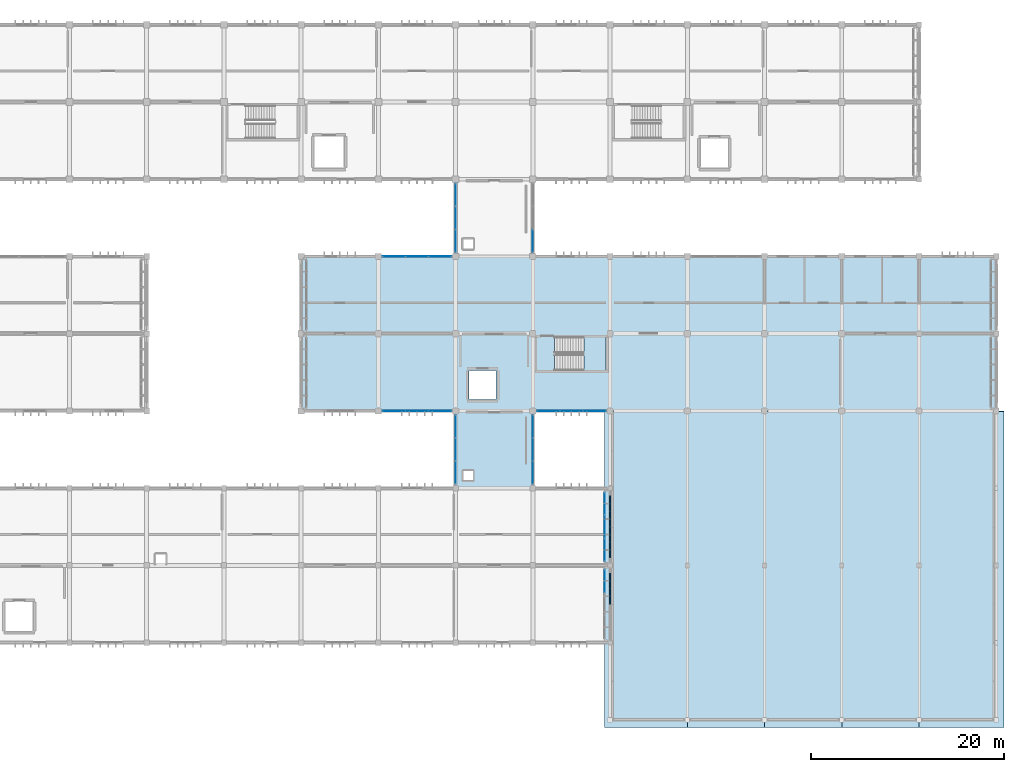
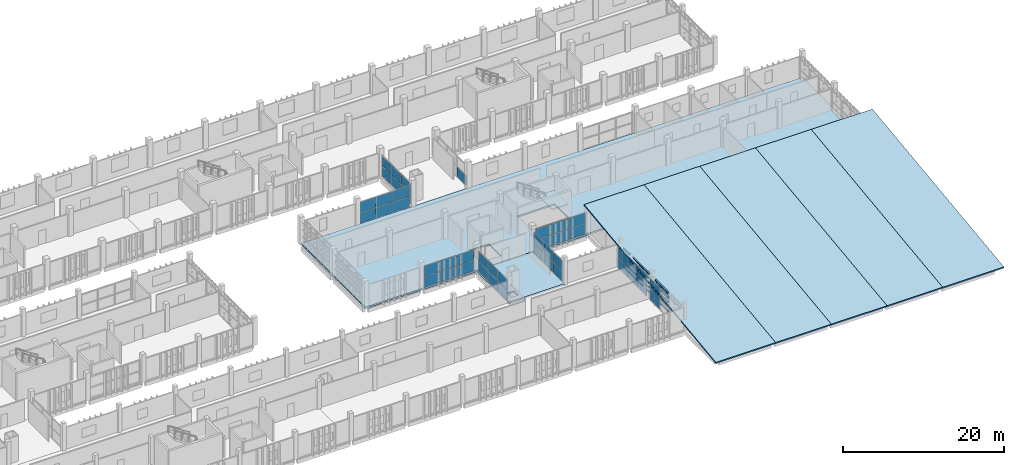
# One storey, part 60 of 83: 75 plates, 8 slabs, 10 elements without a shape of their own.
"""IFC4 building model written with IfcOpenShell, lengths in metres."""

from ifc_helpers import new_model, si_unit, direction, frame, origin, origin_2d, place, context, subcontext, project, spatial, polyline, rectangle, outline, extrude, material, layer, layer_set, type_object, element, aggregate, save


model = new_model("IFC4")

# Units and contexts
model_context = context("Model", 3, precision=1e-05, world=origin(), true_north=direction((0.0, 1.0)))
body_context = subcontext(model_context, "Body", "Model", "MODEL_VIEW")
ifc_project = project(units=[si_unit("LENGTHUNIT", "METRE"), si_unit("AREAUNIT", "SQUARE_METRE"), si_unit("VOLUMEUNIT", "CUBIC_METRE"), si_unit("PLANEANGLEUNIT", "RADIAN"), si_unit("MASSUNIT", "GRAM", prefix="KILO")], contexts=[model_context])

# Site, building, storey
site_placement = place(None, origin())
site = spatial("IfcSite", under=ifc_project, at=site_placement, CompositionType="ELEMENT")
building_placement = place(site_placement, origin())
building = spatial("IfcBuilding", under=site, at=building_placement, Name="Jelvoka-Kovrelna Polytechnic", CompositionType="ELEMENT")
storey_placement = place(building_placement, frame((0.0, 0.0, 13.800048828125)))
storey = spatial("IfcBuildingStorey", under=building, at=storey_placement, Name="L04", CompositionType="ELEMENT", Elevation=13.800048828125)

# Curtain wall, plates
ifc_material_1 = material(Name="Anodised aluminium 6063-T6", Category="aluminium")
ifc_layer_1 = layer(ifc_material_1, 0.159912109375)
ifc_layer_set_1 = layer_set([ifc_layer_1], Name="Anodised aluminium 6063-T6")
curtain_wall_type_1 = type_object("IfcCurtainWallType", Name="CW_Recessed_A", PredefinedType="NOTDEFINED", material=ifc_layer_set_1)
curtain_wall_1_placement = place(storey_placement, origin())
curtain_wall_1 = element("IfcCurtainWall", 1, at=curtain_wall_1_placement, inside=storey, type_object=curtain_wall_type_1, Name="L04 glazed curtain wall 005", PredefinedType="NOTDEFINED")
ifc_material_2 = material(Name="Solar-control double glazing", Category="glass")
ifc_layer_2 = layer(ifc_material_2, 0.028076171875)
ifc_layer_set_2 = layer_set([ifc_layer_2], Name="Solar-control double glazing")
plate_type_1 = type_object("IfcPlateType", Name="Panel_GP-01", PredefinedType="CURTAIN_PANEL", material=ifc_layer_set_2)
plate_1_placement = place(storey_placement, frame((159.43994140625, 14.385009765625, 0.052001953125), z_axis=(0.0, 0.0, 1.0), x_axis=(0.0, -1.0, 0.0)))
plate_1 = element("IfcPlate", 2, at=plate_1_placement, type_object=plate_type_1, Name="CW-01 panel 1.1", PredefinedType="CURTAIN_PANEL", context=body_context, shape_type="SweptSolid", body=[
    extrude(rectangle(XDim=2.326171875, YDim=0.028076171875, at=origin_2d()), origin(), (0.0, 0.0, 1.0), 1.60107421875),
])
plate_2_placement = place(storey_placement, frame((159.43994140625, 14.385009765625, 1.697021484375), z_axis=(0.0, 0.0, 1.0), x_axis=(0.0, -1.0, 0.0)))
plate_2 = element("IfcPlate", 3, at=plate_2_placement, type_object=plate_type_1, Name="CW-01 panel 1.2", PredefinedType="CURTAIN_PANEL", context=body_context, shape_type="SweptSolid", body=[
    extrude(rectangle(XDim=2.326171875, YDim=0.028076171875, at=origin_2d()), origin(), (0.0, 0.0, 1.0), 1.60107421875),
])
aggregate(curtain_wall_1, [plate_1, plate_2])

curtain_wall_2_placement = place(storey_placement, origin())
curtain_wall_2 = element("IfcCurtainWall", 4, at=curtain_wall_2_placement, inside=storey, type_object=curtain_wall_type_1, Name="L04 glazed curtain wall 006", PredefinedType="NOTDEFINED")
plate_3_placement = place(storey_placement, frame((159.43994140625, 22.385009765625, 0.052001953125), z_axis=(0.0, 0.0, 1.0), x_axis=(0.0, -1.0, 0.0)))
plate_3 = element("IfcPlate", 5, at=plate_3_placement, type_object=plate_type_1, Name="CW-01 panel 1.1", PredefinedType="CURTAIN_PANEL", context=body_context, shape_type="SweptSolid", body=[
    extrude(rectangle(XDim=2.326171875, YDim=0.028076171875, at=origin_2d()), origin(), (0.0, 0.0, 1.0), 1.60107421875),
])
plate_4_placement = place(storey_placement, frame((159.43994140625, 22.385009765625, 1.697021484375), z_axis=(0.0, 0.0, 1.0), x_axis=(0.0, -1.0, 0.0)))
plate_4 = element("IfcPlate", 6, at=plate_4_placement, type_object=plate_type_1, Name="CW-01 panel 1.2", PredefinedType="CURTAIN_PANEL", context=body_context, shape_type="SweptSolid", body=[
    extrude(rectangle(XDim=2.326171875, YDim=0.028076171875, at=origin_2d()), origin(), (0.0, 0.0, 1.0), 1.60107421875),
])
plate_5_placement = place(storey_placement, frame((159.43994140625, 20.0, 0.052001953125), z_axis=(0.0, 0.0, 1.0), x_axis=(0.0, -1.0, 0.0)))
plate_5 = element("IfcPlate", 7, at=plate_5_placement, type_object=plate_type_1, Name="CW-01 panel 2.1", PredefinedType="CURTAIN_PANEL", context=body_context, shape_type="SweptSolid", body=[
    extrude(rectangle(XDim=2.356201171875, YDim=0.028076171875, at=origin_2d()), origin(), (0.0, 0.0, 1.0), 1.60107421875),
])
plate_6_placement = place(storey_placement, frame((159.43994140625, 20.0, 1.697021484375), z_axis=(0.0, 0.0, 1.0), x_axis=(0.0, -1.0, 0.0)))
plate_6 = element("IfcPlate", 8, at=plate_6_placement, type_object=plate_type_1, Name="CW-01 panel 2.2", PredefinedType="CURTAIN_PANEL", context=body_context, shape_type="SweptSolid", body=[
    extrude(rectangle(XDim=2.356201171875, YDim=0.028076171875, at=origin_2d()), origin(), (0.0, 0.0, 1.0), 1.60107421875),
])
plate_7_placement = place(storey_placement, frame((159.43994140625, 17.614990234375, 0.052001953125), z_axis=(0.0, 0.0, 1.0), x_axis=(0.0, -1.0, 0.0)))
plate_7 = element("IfcPlate", 9, at=plate_7_placement, type_object=plate_type_1, Name="CW-01 panel 3.1", PredefinedType="CURTAIN_PANEL", context=body_context, shape_type="SweptSolid", body=[
    extrude(rectangle(XDim=2.326171875, YDim=0.028076171875, at=origin_2d()), origin(), (0.0, 0.0, 1.0), 1.60107421875),
])
plate_8_placement = place(storey_placement, frame((159.43994140625, 17.614990234375, 1.697021484375), z_axis=(0.0, 0.0, 1.0), x_axis=(0.0, -1.0, 0.0)))
plate_8 = element("IfcPlate", 10, at=plate_8_placement, type_object=plate_type_1, Name="CW-01 panel 3.2", PredefinedType="CURTAIN_PANEL", context=body_context, shape_type="SweptSolid", body=[
    extrude(rectangle(XDim=2.326171875, YDim=0.028076171875, at=origin_2d()), origin(), (0.0, 0.0, 1.0), 1.60107421875),
])
aggregate(curtain_wall_2, [plate_3, plate_4, plate_5, plate_6, plate_7, plate_8])

curtain_wall_3_placement = place(storey_placement, origin())
curtain_wall_3 = element("IfcCurtainWall", 11, at=curtain_wall_3_placement, inside=storey, type_object=curtain_wall_type_1, Name="L04 glazed curtain wall 062", PredefinedType="NOTDEFINED")
plate_9_placement = place(storey_placement, frame((142.385009765625, 32.0, 0.052001953125), z_axis=(0.0, 0.0, 1.0), x_axis=(-1.0, 0.0, 0.0)))
plate_9 = element("IfcPlate", 12, at=plate_9_placement, type_object=plate_type_1, Name="CW-01 panel 1.1", PredefinedType="CURTAIN_PANEL", context=body_context, shape_type="SweptSolid", body=[
    extrude(rectangle(XDim=2.326171875, YDim=0.028076171875, at=origin_2d()), origin(), (0.0, 0.0, 1.0), 1.588623046875),
])
plate_10_placement = place(storey_placement, frame((142.385009765625, 32.0, 1.684326171875), z_axis=(0.0, 0.0, 1.0), x_axis=(-1.0, 0.0, 0.0)))
plate_10 = element("IfcPlate", 13, at=plate_10_placement, type_object=plate_type_1, Name="CW-01 panel 1.2", PredefinedType="CURTAIN_PANEL", context=body_context, shape_type="SweptSolid", body=[
    extrude(rectangle(XDim=2.326171875, YDim=0.028076171875, at=origin_2d()), origin(), (0.0, 0.0, 1.0), 1.588623046875),
])
plate_11_placement = place(storey_placement, frame((140.0, 32.0, 0.052001953125), z_axis=(0.0, 0.0, 1.0), x_axis=(-1.0, 0.0, 0.0)))
plate_11 = element("IfcPlate", 14, at=plate_11_placement, type_object=plate_type_1, Name="CW-01 panel 2.1", PredefinedType="CURTAIN_PANEL", context=body_context, shape_type="SweptSolid", body=[
    extrude(rectangle(XDim=2.356201171875, YDim=0.028076171875, at=origin_2d()), origin(), (0.0, 0.0, 1.0), 1.588623046875),
])
plate_12_placement = place(storey_placement, frame((140.0, 32.0, 1.684326171875), z_axis=(0.0, 0.0, 1.0), x_axis=(-1.0, 0.0, 0.0)))
plate_12 = element("IfcPlate", 15, at=plate_12_placement, type_object=plate_type_1, Name="CW-01 panel 2.2", PredefinedType="CURTAIN_PANEL", context=body_context, shape_type="SweptSolid", body=[
    extrude(rectangle(XDim=2.356201171875, YDim=0.028076171875, at=origin_2d()), origin(), (0.0, 0.0, 1.0), 1.588623046875),
])
plate_13_placement = place(storey_placement, frame((137.614990234375, 32.0, 0.052001953125), z_axis=(0.0, 0.0, 1.0), x_axis=(-1.0, 0.0, 0.0)))
plate_13 = element("IfcPlate", 16, at=plate_13_placement, type_object=plate_type_1, Name="CW-01 panel 3.1", PredefinedType="CURTAIN_PANEL", context=body_context, shape_type="SweptSolid", body=[
    extrude(rectangle(XDim=2.326171875, YDim=0.028076171875, at=origin_2d()), origin(), (0.0, 0.0, 1.0), 1.588623046875),
])
plate_14_placement = place(storey_placement, frame((137.614990234375, 32.0, 1.684326171875), z_axis=(0.0, 0.0, 1.0), x_axis=(-1.0, 0.0, 0.0)))
plate_14 = element("IfcPlate", 17, at=plate_14_placement, type_object=plate_type_1, Name="CW-01 panel 3.2", PredefinedType="CURTAIN_PANEL", context=body_context, shape_type="SweptSolid", body=[
    extrude(rectangle(XDim=2.326171875, YDim=0.028076171875, at=origin_2d()), origin(), (0.0, 0.0, 1.0), 1.588623046875),
])
aggregate(curtain_wall_3, [plate_9, plate_10, plate_11, plate_12, plate_13, plate_14])

curtain_wall_4_placement = place(storey_placement, origin())
curtain_wall_4 = element("IfcCurtainWall", 18, at=curtain_wall_4_placement, inside=storey, type_object=curtain_wall_type_1, Name="L04 glazed curtain wall 063", PredefinedType="NOTDEFINED")
plate_15_placement = place(storey_placement, frame((137.614990234375, 48.0, 0.052001953125), z_axis=(0.0, 0.0, 1.0), x_axis=(1.0, 0.0, 0.0)))
plate_15 = element("IfcPlate", 19, at=plate_15_placement, type_object=plate_type_1, Name="CW-01 panel 1.1", PredefinedType="CURTAIN_PANEL", context=body_context, shape_type="SweptSolid", body=[
    extrude(rectangle(XDim=2.326171875, YDim=0.028076171875, at=origin_2d()), origin(), (0.0, 0.0, 1.0), 1.588623046875),
])
plate_16_placement = place(storey_placement, frame((137.614990234375, 48.0, 1.684326171875), z_axis=(0.0, 0.0, 1.0), x_axis=(1.0, 0.0, 0.0)))
plate_16 = element("IfcPlate", 20, at=plate_16_placement, type_object=plate_type_1, Name="CW-01 panel 1.2", PredefinedType="CURTAIN_PANEL", context=body_context, shape_type="SweptSolid", body=[
    extrude(rectangle(XDim=2.326171875, YDim=0.028076171875, at=origin_2d()), origin(), (0.0, 0.0, 1.0), 1.588623046875),
])
plate_17_placement = place(storey_placement, frame((140.0, 48.0, 0.052001953125), z_axis=(0.0, 0.0, 1.0), x_axis=(1.0, 0.0, 0.0)))
plate_17 = element("IfcPlate", 21, at=plate_17_placement, type_object=plate_type_1, Name="CW-01 panel 2.1", PredefinedType="CURTAIN_PANEL", context=body_context, shape_type="SweptSolid", body=[
    extrude(rectangle(XDim=2.356201171875, YDim=0.028076171875, at=origin_2d()), origin(), (0.0, 0.0, 1.0), 1.588623046875),
])
plate_18_placement = place(storey_placement, frame((140.0, 48.0, 1.684326171875), z_axis=(0.0, 0.0, 1.0), x_axis=(1.0, 0.0, 0.0)))
plate_18 = element("IfcPlate", 22, at=plate_18_placement, type_object=plate_type_1, Name="CW-01 panel 2.2", PredefinedType="CURTAIN_PANEL", context=body_context, shape_type="SweptSolid", body=[
    extrude(rectangle(XDim=2.356201171875, YDim=0.028076171875, at=origin_2d()), origin(), (0.0, 0.0, 1.0), 1.588623046875),
])
plate_19_placement = place(storey_placement, frame((142.385009765625, 48.0, 0.052001953125), z_axis=(0.0, 0.0, 1.0), x_axis=(1.0, 0.0, 0.0)))
plate_19 = element("IfcPlate", 23, at=plate_19_placement, type_object=plate_type_1, Name="CW-01 panel 3.1", PredefinedType="CURTAIN_PANEL", context=body_context, shape_type="SweptSolid", body=[
    extrude(rectangle(XDim=2.326171875, YDim=0.028076171875, at=origin_2d()), origin(), (0.0, 0.0, 1.0), 1.588623046875),
])
plate_20_placement = place(storey_placement, frame((142.385009765625, 48.0, 1.684326171875), z_axis=(0.0, 0.0, 1.0), x_axis=(1.0, 0.0, 0.0)))
plate_20 = element("IfcPlate", 24, at=plate_20_placement, type_object=plate_type_1, Name="CW-01 panel 3.2", PredefinedType="CURTAIN_PANEL", context=body_context, shape_type="SweptSolid", body=[
    extrude(rectangle(XDim=2.326171875, YDim=0.028076171875, at=origin_2d()), origin(), (0.0, 0.0, 1.0), 1.588623046875),
])
aggregate(curtain_wall_4, [plate_15, plate_16, plate_17, plate_18, plate_19, plate_20])

curtain_wall_5_placement = place(storey_placement, origin())
curtain_wall_5 = element("IfcCurtainWall", 25, at=curtain_wall_5_placement, inside=storey, type_object=curtain_wall_type_1, Name="L04 glazed curtain wall 064", PredefinedType="NOTDEFINED")
plate_21_placement = place(storey_placement, frame((158.385009765625, 32.0, 0.052001953125), z_axis=(0.0, 0.0, 1.0), x_axis=(-1.0, 0.0, 0.0)))
plate_21 = element("IfcPlate", 26, at=plate_21_placement, type_object=plate_type_1, Name="CW-01 panel 1.1", PredefinedType="CURTAIN_PANEL", context=body_context, shape_type="SweptSolid", body=[
    extrude(rectangle(XDim=2.326171875, YDim=0.028076171875, at=origin_2d()), origin(), (0.0, 0.0, 1.0), 1.588623046875),
])
plate_22_placement = place(storey_placement, frame((158.385009765625, 32.0, 1.684326171875), z_axis=(0.0, 0.0, 1.0), x_axis=(-1.0, 0.0, 0.0)))
plate_22 = element("IfcPlate", 27, at=plate_22_placement, type_object=plate_type_1, Name="CW-01 panel 1.2", PredefinedType="CURTAIN_PANEL", context=body_context, shape_type="SweptSolid", body=[
    extrude(rectangle(XDim=2.326171875, YDim=0.028076171875, at=origin_2d()), origin(), (0.0, 0.0, 1.0), 1.588623046875),
])
plate_23_placement = place(storey_placement, frame((156.0, 32.0, 0.052001953125), z_axis=(0.0, 0.0, 1.0), x_axis=(-1.0, 0.0, 0.0)))
plate_23 = element("IfcPlate", 28, at=plate_23_placement, type_object=plate_type_1, Name="CW-01 panel 2.1", PredefinedType="CURTAIN_PANEL", context=body_context, shape_type="SweptSolid", body=[
    extrude(rectangle(XDim=2.356201171875, YDim=0.028076171875, at=origin_2d()), origin(), (0.0, 0.0, 1.0), 1.588623046875),
])
plate_24_placement = place(storey_placement, frame((156.0, 32.0, 1.684326171875), z_axis=(0.0, 0.0, 1.0), x_axis=(-1.0, 0.0, 0.0)))
plate_24 = element("IfcPlate", 29, at=plate_24_placement, type_object=plate_type_1, Name="CW-01 panel 2.2", PredefinedType="CURTAIN_PANEL", context=body_context, shape_type="SweptSolid", body=[
    extrude(rectangle(XDim=2.356201171875, YDim=0.028076171875, at=origin_2d()), origin(), (0.0, 0.0, 1.0), 1.588623046875),
])
plate_25_placement = place(storey_placement, frame((153.614990234375, 32.0, 0.052001953125), z_axis=(0.0, 0.0, 1.0), x_axis=(-1.0, 0.0, 0.0)))
plate_25 = element("IfcPlate", 30, at=plate_25_placement, type_object=plate_type_1, Name="CW-01 panel 3.1", PredefinedType="CURTAIN_PANEL", context=body_context, shape_type="SweptSolid", body=[
    extrude(rectangle(XDim=2.326171875, YDim=0.028076171875, at=origin_2d()), origin(), (0.0, 0.0, 1.0), 1.588623046875),
])
plate_26_placement = place(storey_placement, frame((153.614990234375, 32.0, 1.684326171875), z_axis=(0.0, 0.0, 1.0), x_axis=(-1.0, 0.0, 0.0)))
plate_26 = element("IfcPlate", 31, at=plate_26_placement, type_object=plate_type_1, Name="CW-01 panel 3.2", PredefinedType="CURTAIN_PANEL", context=body_context, shape_type="SweptSolid", body=[
    extrude(rectangle(XDim=2.326171875, YDim=0.028076171875, at=origin_2d()), origin(), (0.0, 0.0, 1.0), 1.588623046875),
])
aggregate(curtain_wall_5, [plate_21, plate_22, plate_23, plate_24, plate_25, plate_26])

ifc_material_3 = material(Name="Anodised aluminium 6063-T6", Category="aluminium")
ifc_layer_3 = layer(ifc_material_3, 0.159912109375)
ifc_layer_set_3 = layer_set([ifc_layer_3], Name="Anodised aluminium 6063-T6")
curtain_wall_type_2 = type_object("IfcCurtainWallType", Name="CW_LinkBridge", PredefinedType="NOTDEFINED", material=ifc_layer_set_3)
curtain_wall_6_placement = place(storey_placement, origin())
curtain_wall_6 = element("IfcCurtainWall", 32, at=curtain_wall_6_placement, inside=storey, type_object=curtain_wall_type_2, Name="L04 glazed curtain wall 132", PredefinedType="NOTDEFINED")
ifc_material_4 = material(Name="Solar-control double glazing", Category="glass")
ifc_layer_4 = layer(ifc_material_4, 0.02392578125)
ifc_layer_set_4 = layer_set([ifc_layer_4], Name="Solar-control double glazing")
plate_type_2 = type_object("IfcPlateType", Name="Panel_GP-04", PredefinedType="CURTAIN_PANEL", material=ifc_layer_set_4)
plate_27_placement = place(storey_placement, frame((144.0, 49.614990234375, 0.052001953125), z_axis=(0.0, 0.0, 1.0), x_axis=(0.0, 1.0, 0.0)))
plate_27 = element("IfcPlate", 33, at=plate_27_placement, type_object=plate_type_2, Name="CW-04 panel 1.1", PredefinedType="CURTAIN_PANEL", context=body_context, shape_type="SweptSolid", body=[
    extrude(rectangle(XDim=2.326171875, YDim=0.02392578125, at=origin_2d()), origin(), (0.0, 0.0, 1.0), 1.53857421875),
])
plate_28_placement = place(storey_placement, frame((144.0, 49.614990234375, 1.634521484375), z_axis=(0.0, 0.0, 1.0), x_axis=(0.0, 1.0, 0.0)))
plate_28 = element("IfcPlate", 34, at=plate_28_placement, type_object=plate_type_2, Name="CW-04 panel 1.2", PredefinedType="CURTAIN_PANEL", context=body_context, shape_type="SweptSolid", body=[
    extrude(rectangle(XDim=2.326171875, YDim=0.02392578125, at=origin_2d()), origin(), (0.0, 0.0, 1.0), 1.53857421875),
])
plate_29_placement = place(storey_placement, frame((144.0, 52.0, 0.052001953125), z_axis=(0.0, 0.0, 1.0), x_axis=(0.0, 1.0, 0.0)))
plate_29 = element("IfcPlate", 35, at=plate_29_placement, type_object=plate_type_2, Name="CW-04 panel 2.1", PredefinedType="CURTAIN_PANEL", context=body_context, shape_type="SweptSolid", body=[
    extrude(rectangle(XDim=2.356201171875, YDim=0.02392578125, at=origin_2d()), origin(), (0.0, 0.0, 1.0), 1.53857421875),
])
plate_30_placement = place(storey_placement, frame((144.0, 52.0, 1.634521484375), z_axis=(0.0, 0.0, 1.0), x_axis=(0.0, 1.0, 0.0)))
plate_30 = element("IfcPlate", 36, at=plate_30_placement, type_object=plate_type_2, Name="CW-04 panel 2.2", PredefinedType="CURTAIN_PANEL", context=body_context, shape_type="SweptSolid", body=[
    extrude(rectangle(XDim=2.356201171875, YDim=0.02392578125, at=origin_2d()), origin(), (0.0, 0.0, 1.0), 1.53857421875),
])
plate_31_placement = place(storey_placement, frame((144.0, 54.385009765625, 0.052001953125), z_axis=(0.0, 0.0, 1.0), x_axis=(0.0, 1.0, 0.0)))
plate_31 = element("IfcPlate", 37, at=plate_31_placement, type_object=plate_type_2, Name="CW-04 panel 3.1", PredefinedType="CURTAIN_PANEL", context=body_context, shape_type="SweptSolid", body=[
    extrude(rectangle(XDim=2.326171875, YDim=0.02392578125, at=origin_2d()), origin(), (0.0, 0.0, 1.0), 1.53857421875),
])
plate_32_placement = place(storey_placement, frame((144.0, 54.385009765625, 1.634521484375), z_axis=(0.0, 0.0, 1.0), x_axis=(0.0, 1.0, 0.0)))
plate_32 = element("IfcPlate", 38, at=plate_32_placement, type_object=plate_type_2, Name="CW-04 panel 3.2", PredefinedType="CURTAIN_PANEL", context=body_context, shape_type="SweptSolid", body=[
    extrude(rectangle(XDim=2.326171875, YDim=0.02392578125, at=origin_2d()), origin(), (0.0, 0.0, 1.0), 1.53857421875),
])
aggregate(curtain_wall_6, [plate_27, plate_28, plate_29, plate_30, plate_31, plate_32])

# Curtain wall, plate
curtain_wall_7_placement = place(storey_placement, origin())
curtain_wall_7 = element("IfcCurtainWall", 39, at=curtain_wall_7_placement, inside=storey, type_object=curtain_wall_type_2, Name="L04 glazed curtain wall 133", PredefinedType="NOTDEFINED")
plate_33_placement = place(storey_placement, frame((152.0, 49.614990234375, 0.052001953125), z_axis=(0.0, 0.0, 1.0), x_axis=(0.0, -1.0, 0.0)))
plate_33 = element("IfcPlate", 40, at=plate_33_placement, type_object=plate_type_2, Name="CW-04 panel 3.1", PredefinedType="CURTAIN_PANEL", context=body_context, shape_type="SweptSolid", body=[
    extrude(rectangle(XDim=2.326171875, YDim=0.02392578125, at=origin_2d()), origin(), (0.0, 0.0, 1.0), 1.53857421875),
])
aggregate(curtain_wall_7, [plate_33])

# Curtain wall, plates
curtain_wall_8_placement = place(storey_placement, origin())
curtain_wall_8 = element("IfcCurtainWall", 41, at=curtain_wall_8_placement, inside=storey, type_object=curtain_wall_type_2, Name="L04 glazed curtain wall 138", PredefinedType="NOTDEFINED")
plate_34_placement = place(storey_placement, frame((144.0, 25.614990234375, 0.052001953125), z_axis=(0.0, 0.0, 1.0), x_axis=(0.0, 1.0, 0.0)))
plate_34 = element("IfcPlate", 42, at=plate_34_placement, type_object=plate_type_2, Name="CW-04 panel 1.1", PredefinedType="CURTAIN_PANEL", context=body_context, shape_type="SweptSolid", body=[
    extrude(rectangle(XDim=2.326171875, YDim=0.02392578125, at=origin_2d()), origin(), (0.0, 0.0, 1.0), 1.53857421875),
])
plate_35_placement = place(storey_placement, frame((144.0, 25.614990234375, 1.634521484375), z_axis=(0.0, 0.0, 1.0), x_axis=(0.0, 1.0, 0.0)))
plate_35 = element("IfcPlate", 43, at=plate_35_placement, type_object=plate_type_2, Name="CW-04 panel 1.2", PredefinedType="CURTAIN_PANEL", context=body_context, shape_type="SweptSolid", body=[
    extrude(rectangle(XDim=2.326171875, YDim=0.02392578125, at=origin_2d()), origin(), (0.0, 0.0, 1.0), 1.53857421875),
])
plate_36_placement = place(storey_placement, frame((144.0, 28.0, 0.052001953125), z_axis=(0.0, 0.0, 1.0), x_axis=(0.0, 1.0, 0.0)))
plate_36 = element("IfcPlate", 44, at=plate_36_placement, type_object=plate_type_2, Name="CW-04 panel 2.1", PredefinedType="CURTAIN_PANEL", context=body_context, shape_type="SweptSolid", body=[
    extrude(rectangle(XDim=2.356201171875, YDim=0.02392578125, at=origin_2d()), origin(), (0.0, 0.0, 1.0), 1.53857421875),
])
plate_37_placement = place(storey_placement, frame((144.0, 28.0, 1.634521484375), z_axis=(0.0, 0.0, 1.0), x_axis=(0.0, 1.0, 0.0)))
plate_37 = element("IfcPlate", 45, at=plate_37_placement, type_object=plate_type_2, Name="CW-04 panel 2.2", PredefinedType="CURTAIN_PANEL", context=body_context, shape_type="SweptSolid", body=[
    extrude(rectangle(XDim=2.356201171875, YDim=0.02392578125, at=origin_2d()), origin(), (0.0, 0.0, 1.0), 1.53857421875),
])
plate_38_placement = place(storey_placement, frame((144.0, 30.385009765625, 0.052001953125), z_axis=(0.0, 0.0, 1.0), x_axis=(0.0, 1.0, 0.0)))
plate_38 = element("IfcPlate", 46, at=plate_38_placement, type_object=plate_type_2, Name="CW-04 panel 3.1", PredefinedType="CURTAIN_PANEL", context=body_context, shape_type="SweptSolid", body=[
    extrude(rectangle(XDim=2.326171875, YDim=0.02392578125, at=origin_2d()), origin(), (0.0, 0.0, 1.0), 1.53857421875),
])
plate_39_placement = place(storey_placement, frame((144.0, 30.385009765625, 1.634521484375), z_axis=(0.0, 0.0, 1.0), x_axis=(0.0, 1.0, 0.0)))
plate_39 = element("IfcPlate", 47, at=plate_39_placement, type_object=plate_type_2, Name="CW-04 panel 3.2", PredefinedType="CURTAIN_PANEL", context=body_context, shape_type="SweptSolid", body=[
    extrude(rectangle(XDim=2.326171875, YDim=0.02392578125, at=origin_2d()), origin(), (0.0, 0.0, 1.0), 1.53857421875),
])
aggregate(curtain_wall_8, [plate_34, plate_35, plate_36, plate_37, plate_38, plate_39])

curtain_wall_9_placement = place(storey_placement, origin())
curtain_wall_9 = element("IfcCurtainWall", 48, at=curtain_wall_9_placement, inside=storey, type_object=curtain_wall_type_2, Name="L04 glazed curtain wall 139", PredefinedType="NOTDEFINED")
plate_40_placement = place(storey_placement, frame((152.0, 30.385009765625, 0.052001953125), z_axis=(0.0, 0.0, 1.0), x_axis=(0.0, -1.0, 0.0)))
plate_40 = element("IfcPlate", 49, at=plate_40_placement, type_object=plate_type_2, Name="CW-04 panel 1.1", PredefinedType="CURTAIN_PANEL", context=body_context, shape_type="SweptSolid", body=[
    extrude(rectangle(XDim=2.326171875, YDim=0.02392578125, at=origin_2d()), origin(), (0.0, 0.0, 1.0), 1.53857421875),
])
plate_41_placement = place(storey_placement, frame((152.0, 30.385009765625, 1.634521484375), z_axis=(0.0, 0.0, 1.0), x_axis=(0.0, -1.0, 0.0)))
plate_41 = element("IfcPlate", 50, at=plate_41_placement, type_object=plate_type_2, Name="CW-04 panel 1.2", PredefinedType="CURTAIN_PANEL", context=body_context, shape_type="SweptSolid", body=[
    extrude(rectangle(XDim=2.326171875, YDim=0.02392578125, at=origin_2d()), origin(), (0.0, 0.0, 1.0), 1.53857421875),
])
plate_42_placement = place(storey_placement, frame((152.0, 28.0, 0.052001953125), z_axis=(0.0, 0.0, 1.0), x_axis=(0.0, -1.0, 0.0)))
plate_42 = element("IfcPlate", 51, at=plate_42_placement, type_object=plate_type_2, Name="CW-04 panel 2.1", PredefinedType="CURTAIN_PANEL", context=body_context, shape_type="SweptSolid", body=[
    extrude(rectangle(XDim=2.356201171875, YDim=0.02392578125, at=origin_2d()), origin(), (0.0, 0.0, 1.0), 1.53857421875),
])
plate_43_placement = place(storey_placement, frame((152.0, 28.0, 1.634521484375), z_axis=(0.0, 0.0, 1.0), x_axis=(0.0, -1.0, 0.0)))
plate_43 = element("IfcPlate", 52, at=plate_43_placement, type_object=plate_type_2, Name="CW-04 panel 2.2", PredefinedType="CURTAIN_PANEL", context=body_context, shape_type="SweptSolid", body=[
    extrude(rectangle(XDim=2.356201171875, YDim=0.02392578125, at=origin_2d()), origin(), (0.0, 0.0, 1.0), 1.53857421875),
])
plate_44_placement = place(storey_placement, frame((152.0, 25.614990234375, 0.052001953125), z_axis=(0.0, 0.0, 1.0), x_axis=(0.0, -1.0, 0.0)))
plate_44 = element("IfcPlate", 53, at=plate_44_placement, type_object=plate_type_2, Name="CW-04 panel 3.1", PredefinedType="CURTAIN_PANEL", context=body_context, shape_type="SweptSolid", body=[
    extrude(rectangle(XDim=2.326171875, YDim=0.02392578125, at=origin_2d()), origin(), (0.0, 0.0, 1.0), 1.53857421875),
])
plate_45_placement = place(storey_placement, frame((152.0, 25.614990234375, 1.634521484375), z_axis=(0.0, 0.0, 1.0), x_axis=(0.0, -1.0, 0.0)))
plate_45 = element("IfcPlate", 54, at=plate_45_placement, type_object=plate_type_2, Name="CW-04 panel 3.2", PredefinedType="CURTAIN_PANEL", context=body_context, shape_type="SweptSolid", body=[
    extrude(rectangle(XDim=2.326171875, YDim=0.02392578125, at=origin_2d()), origin(), (0.0, 0.0, 1.0), 1.53857421875),
])
aggregate(curtain_wall_9, [plate_40, plate_41, plate_42, plate_43, plate_44, plate_45])

# Plates
ifc_material_5 = material(Name="Perforated fired terracotta block", Category="masonry")
ifc_layer_5 = layer(ifc_material_5, 0.179931640625)
ifc_layer_set_5 = layer_set([ifc_layer_5], Name="Perforated fired terracotta block")
plate_type_3 = type_object("IfcPlateType", Name="Screen_Terracotta_TP02", PredefinedType="USERDEFINED", material=ifc_layer_set_5)
for number, where, z_axis, x_axis, name in (
    (55, (159.97998046875, 12.800048828125, 0.2001953125), (0.0, 0.0, 1.0), (0.0, 1.0, 0.0), "L04 perforated terracotta lattice band 0091"),
    (56, (159.97998046875, 12.800048828125, 0.892578125), (0.0, 0.0, 1.0), (0.0, 1.0, 0.0), "L04 perforated terracotta lattice band 0092"),
    (57, (159.97998046875, 12.800048828125, 1.5849609375), (0.0, 0.0, 1.0), (0.0, 1.0, 0.0), "L04 perforated terracotta lattice band 0093"),
    (58, (159.97998046875, 12.800048828125, 2.27734375), (0.0, 0.0, 1.0), (0.0, 1.0, 0.0), "L04 perforated terracotta lattice band 0094"),
    (59, (159.97998046875, 12.800048828125, 2.9697265625), (0.0, 0.0, 1.0), (0.0, 1.0, 0.0), "L04 perforated terracotta lattice band 0095"),
    (60, (159.97998046875, 14.39990234375, 0.2001953125), (0.0, 0.0, 1.0), (0.0, 1.0, 0.0), "L04 perforated terracotta lattice band 0096"),
    (61, (159.97998046875, 14.39990234375, 0.892578125), (0.0, 0.0, 1.0), (0.0, 1.0, 0.0), "L04 perforated terracotta lattice band 0097"),
    (62, (159.97998046875, 14.39990234375, 1.5849609375), (0.0, 0.0, 1.0), (0.0, 1.0, 0.0), "L04 perforated terracotta lattice band 0098"),
    (63, (159.97998046875, 14.39990234375, 2.27734375), (0.0, 0.0, 1.0), (0.0, 1.0, 0.0), "L04 perforated terracotta lattice band 0099"),
    (64, (159.97998046875, 14.39990234375, 2.9697265625), (0.0, 0.0, 1.0), (0.0, 1.0, 0.0), "L04 perforated terracotta lattice band 0100"),
    (65, (159.97998046875, 17.60009765625, 0.2001953125), (0.0, 0.0, 1.0), (0.0, 1.0, 0.0), "L04 perforated terracotta lattice band 0101"),
    (66, (159.97998046875, 17.60009765625, 0.892578125), (0.0, 0.0, 1.0), (0.0, 1.0, 0.0), "L04 perforated terracotta lattice band 0102"),
    (67, (159.97998046875, 17.60009765625, 1.5849609375), (0.0, 0.0, 1.0), (0.0, 1.0, 0.0), "L04 perforated terracotta lattice band 0103"),
    (68, (159.97998046875, 17.60009765625, 2.27734375), (0.0, 0.0, 1.0), (0.0, 1.0, 0.0), "L04 perforated terracotta lattice band 0104"),
    (69, (159.97998046875, 17.60009765625, 2.9697265625), (0.0, 0.0, 1.0), (0.0, 1.0, 0.0), "L04 perforated terracotta lattice band 0105"),
    (70, (159.97998046875, 19.199951171875, 0.2001953125), (0.0, 0.0, 1.0), (0.0, 1.0, 0.0), "L04 perforated terracotta lattice band 0106"),
    (71, (159.97998046875, 19.199951171875, 0.892578125), (0.0, 0.0, 1.0), (0.0, 1.0, 0.0), "L04 perforated terracotta lattice band 0107"),
    (72, (159.97998046875, 19.199951171875, 1.5849609375), (0.0, 0.0, 1.0), (0.0, 1.0, 0.0), "L04 perforated terracotta lattice band 0108"),
    (73, (159.97998046875, 19.199951171875, 2.27734375), (0.0, 0.0, 1.0), (0.0, 1.0, 0.0), "L04 perforated terracotta lattice band 0109"),
    (74, (159.97998046875, 19.199951171875, 2.9697265625), (0.0, 0.0, 1.0), (0.0, 1.0, 0.0), "L04 perforated terracotta lattice band 0110"),
    (75, (159.97998046875, 20.800048828125, 0.2001953125), (0.0, 0.0, 1.0), (0.0, 1.0, 0.0), "L04 perforated terracotta lattice band 0111"),
    (76, (159.97998046875, 20.800048828125, 0.892578125), (0.0, 0.0, 1.0), (0.0, 1.0, 0.0), "L04 perforated terracotta lattice band 0112"),
    (77, (159.97998046875, 20.800048828125, 1.5849609375), (0.0, 0.0, 1.0), (0.0, 1.0, 0.0), "L04 perforated terracotta lattice band 0113"),
    (78, (159.97998046875, 20.800048828125, 2.27734375), (0.0, 0.0, 1.0), (0.0, 1.0, 0.0), "L04 perforated terracotta lattice band 0114"),
    (79, (159.97998046875, 20.800048828125, 2.9697265625), (0.0, 0.0, 1.0), (0.0, 1.0, 0.0), "L04 perforated terracotta lattice band 0115"),
    (80, (159.97998046875, 22.39990234375, 0.2001953125), (0.0, 0.0, 1.0), (0.0, 1.0, 0.0), "L04 perforated terracotta lattice band 0116"),
    (81, (159.97998046875, 22.39990234375, 0.892578125), (0.0, 0.0, 1.0), (0.0, 1.0, 0.0), "L04 perforated terracotta lattice band 0117"),
    (82, (159.97998046875, 22.39990234375, 1.5849609375), (0.0, 0.0, 1.0), (0.0, 1.0, 0.0), "L04 perforated terracotta lattice band 0118"),
    (83, (159.97998046875, 22.39990234375, 2.27734375), (0.0, 0.0, 1.0), (0.0, 1.0, 0.0), "L04 perforated terracotta lattice band 0119"),
    (84, (159.97998046875, 22.39990234375, 2.9697265625), (0.0, 0.0, 1.0), (0.0, 1.0, 0.0), "L04 perforated terracotta lattice band 0120"),
):
    element("IfcPlate", number, at=place(storey_placement, frame(where, z_axis=z_axis, x_axis=x_axis)), inside=storey, type_object=plate_type_3, Name=name, ObjectType="SCREEN PANEL", PredefinedType="USERDEFINED", context=body_context, shape_type="SweptSolid", body=[
        extrude(rectangle(XDim=1.60009765625, YDim=0.179931640625, at=origin_2d()), origin(), (0.0, 0.0, 1.0), 0.239990234375),
    ])

# Slabs
ifc_material_6 = material(Name="Concrete C35/45", Category="concrete")
ifc_layer_6 = layer(ifc_material_6, 0.25)
ifc_layer_set_6 = layer_set([ifc_layer_6], Name="Concrete C35/45")
slab_type_1 = type_object("IfcSlabType", Name="Slab_Floor_250", PredefinedType="FLOOR", material=ifc_layer_set_6)
slab_1_placement = place(storey_placement, frame((0.0, 0.0, -0.25)))
element("IfcSlab", 85, at=slab_1_placement, inside=storey, type_object=slab_type_1, Name="L04 B2E structural slab", PredefinedType="FLOOR", context=body_context, shape_type="SweptSolid", body=[
    extrude(outline(polyline([(128.0, 32.0), (200.0, 32.0), (200.0, 48.0), (128.0, 48.0), (128.0, 32.0)]), holes=[polyline([(145.39990234375, 33.199951171875), (148.199951171875, 33.199951171875), (148.199951171875, 36.199951171875), (145.39990234375, 36.199951171875), (145.39990234375, 33.199951171875)]), polyline([(154.264892578125, 36.199951171875), (159.60009765625, 36.199951171875), (159.60009765625, 39.639892578125), (154.264892578125, 39.639892578125), (154.264892578125, 36.199951171875)])]), origin(), (0.0, 0.0, 1.0), 0.25),
])
slab_2_placement = place(storey_placement, frame((0.0, 0.0, -0.25)))
element("IfcSlab", 86, at=slab_2_placement, inside=storey, type_object=slab_type_1, Name="L04 LNKSE structural slab", PredefinedType="FLOOR", context=body_context, shape_type="SweptSolid", body=[
    extrude(outline(polyline([(144.0, 24.0), (152.0, 24.0), (152.0, 32.0), (144.0, 32.0), (144.0, 24.0)]), holes=[polyline([(144.800048828125, 24.800048828125), (145.800048828125, 24.800048828125), (145.800048828125, 25.800048828125), (144.800048828125, 25.800048828125), (144.800048828125, 24.800048828125)])]), origin(), (0.0, 0.0, 1.0), 0.25),
])
ifc_material_7 = material(Name="Precast concrete C40/50", Category="concrete")
ifc_layer_7 = layer(ifc_material_7, 0.199951171875)
ifc_layer_set_7 = layer_set([ifc_layer_7], Name="Precast concrete C40/50")
slab_type_2 = type_object("IfcSlabType", Name="Slab_Roof_Pavilion_200", PredefinedType="ROOF", material=ifc_layer_set_7)
slab_3_placement = place(storey_placement, frame((159.39990234375, -0.800048828125, 0.5), z_axis=(0.0, -0.124813933555, 0.992180166094), x_axis=(1.0, 0.0, 0.0)))
element("IfcSlab", 87, at=slab_3_placement, inside=storey, type_object=slab_type_2, Name="V5 refectory pavilion outward-sloping roof 1", PredefinedType="ROOF", context=body_context, shape_type="SweptSolid", body=[
    extrude(outline(polyline([(0.0, 0.0), (8.60009765625, 0.0), (8.60009765625, 33.00811800030966), (0.0, 33.00811800030966), (0.0, 0.0)])), origin(), (0.0, 0.0, -1.0), 0.199951171875),
])
for number, where, z_axis, x_axis, name in (
    (88, (168.0, -0.800048828125, 0.5), (0.0, -0.124813933555, 0.992180166094), (1.0, 0.0, 0.0), "V5 refectory pavilion outward-sloping roof 2"),
    (89, (176.0, -0.800048828125, 0.5), (0.0, -0.124813933555, 0.992180166094), (1.0, 0.0, 0.0), "V5 refectory pavilion outward-sloping roof 3"),
    (90, (184.0, -0.800048828125, 0.5), (0.0, -0.124813933555, 0.992180166094), (1.0, 0.0, 0.0), "V5 refectory pavilion outward-sloping roof 4"),
):
    element("IfcSlab", number, at=place(storey_placement, frame(where, z_axis=z_axis, x_axis=x_axis)), inside=storey, type_object=slab_type_2, Name=name, PredefinedType="ROOF", context=body_context, shape_type="SweptSolid", body=[
        extrude(outline(polyline([(0.0, 0.0), (8.0, 0.0), (8.0, 33.008118000309665), (0.0, 33.008118000309665), (0.0, 0.0)])), origin(), (0.0, 0.0, -1.0), 0.199951171875),
    ])
slab_4_placement = place(storey_placement, frame((192.0, -0.800048828125, 0.5), z_axis=(0.0, -0.124813933555, 0.992180166094), x_axis=(1.0, 0.0, 0.0)))
element("IfcSlab", 91, at=slab_4_placement, inside=storey, type_object=slab_type_2, Name="V5 refectory pavilion outward-sloping roof 5", PredefinedType="ROOF", context=body_context, shape_type="SweptSolid", body=[
    extrude(outline(polyline([(0.0, 0.0), (8.800048828125, 0.0), (8.800048828125, 33.00811800030966), (0.0, 33.00811800030966), (0.0, 0.0)])), origin(), (0.0, 0.0, -1.0), 0.199951171875),
])

# Stair, slab
ifc_material_8 = material(Name="Concrete C35/45", Category="concrete")
stair_type = type_object("IfcStairType", Name="Stair_Dogleg_1620", PredefinedType="TWO_STRAIGHT_RUN_STAIR", material=ifc_material_8)
stair_placement = place(storey_placement, origin())
stair = element("IfcStair", 92, at=stair_placement, inside=storey, type_object=stair_type, Name="L04 ST08", PredefinedType="TWO_STRAIGHT_RUN_STAIR")
ifc_material_9 = material(Name="Concrete C35/45", Category="concrete")
ifc_layer_8 = layer(ifc_material_9, 0.199951171875)
ifc_layer_set_8 = layer_set([ifc_layer_8], Name="Concrete C35/45")
slab_type_3 = type_object("IfcSlabType", Name="Slab_Stair_Landing_200", PredefinedType="LANDING", material=ifc_layer_set_8)
slab_5_placement = place(storey_placement, frame((0.0, 0.0, 1.89990234375)))
slab_5 = element("IfcSlab", 93, at=slab_5_placement, type_object=slab_type_3, Name="ST08 landing 1", PredefinedType="LANDING", context=body_context, shape_type="SweptSolid", body=[
    extrude(outline(polyline([(157.27490234375, 36.199951171875), (159.60009765625, 36.199951171875), (159.60009765625, 39.639892578125), (157.27490234375, 39.639892578125), (157.27490234375, 36.199951171875)])), origin(), (0.0, 0.0, 1.0), 0.199951171875),
])
aggregate(stair, [slab_5])

save(model, "model.ifc")
